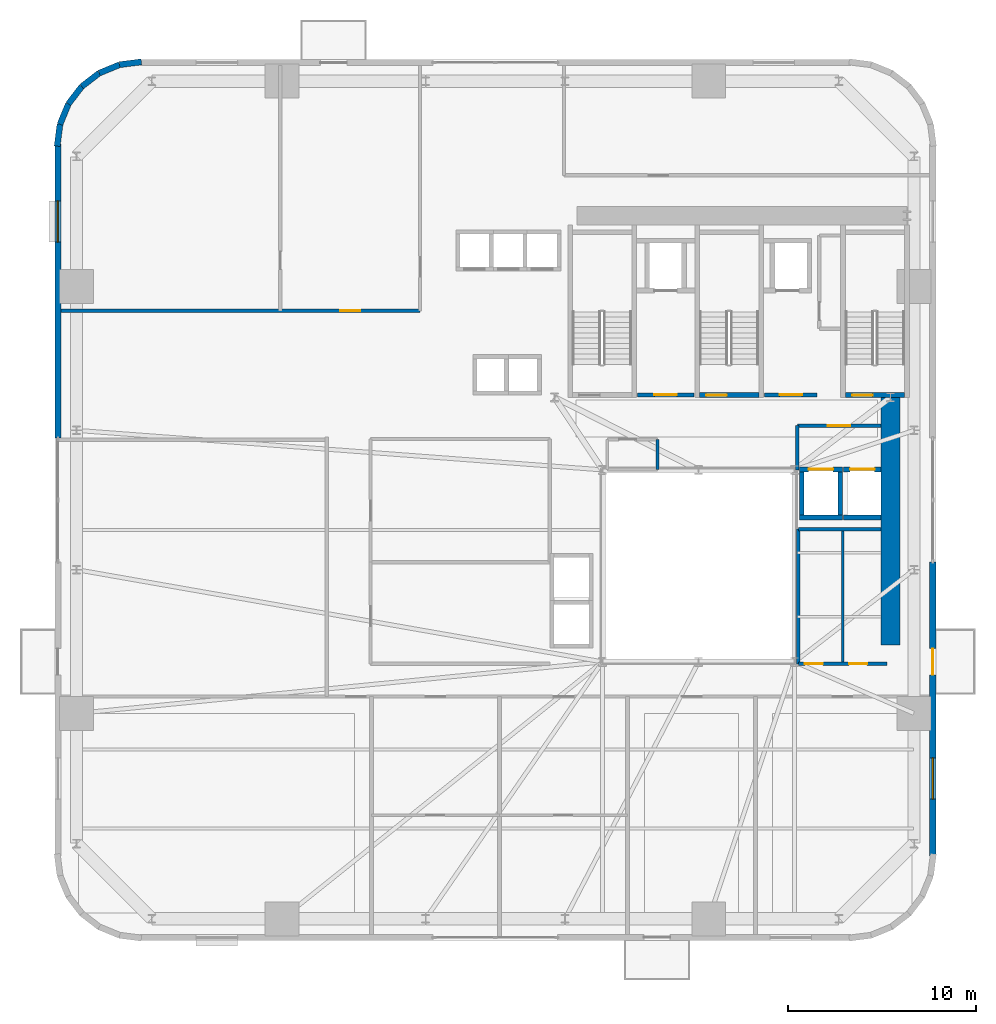
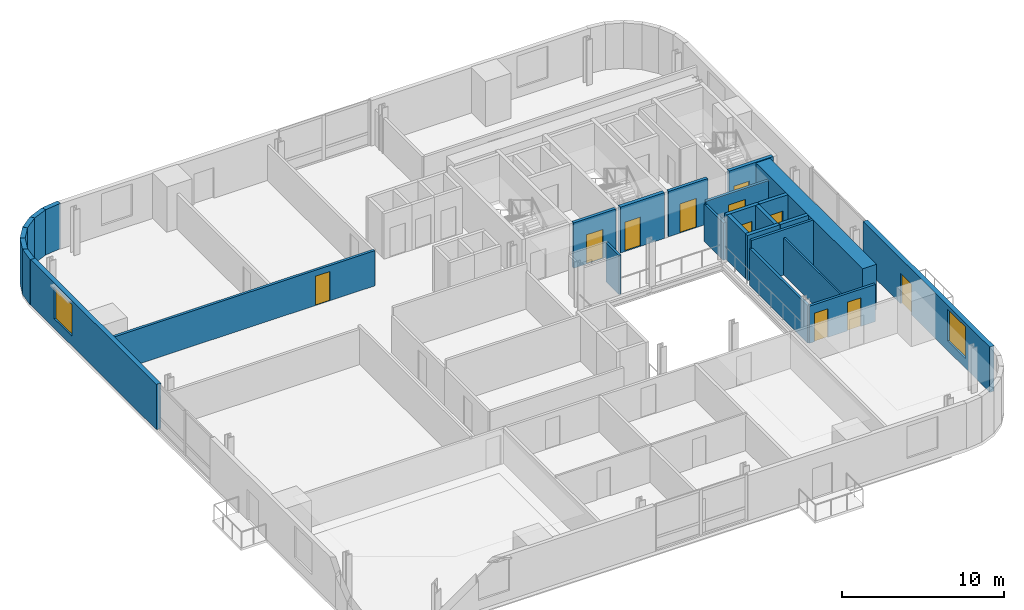
# One storey, part 7 of 13: 27 walls, 11 doors, 2 windows, 13 openings.
"""IFC4 building model written with IfcOpenShell, lengths in metres."""

import ifcopenshell
import ifcopenshell.guid

model = None  # the IFC model being written
_history = None  # IfcOwnerHistory: only IFC2X3 demands one
_inside = {}  # id of a spatial element -> (the spatial element, [elements in it])
_under = {}  # id of a project, library or spatial element -> (it, [spatial elements below it])
_declared = {}  # id of a project -> (the project, [libraries it declares])
_typed = {}  # id of a type object -> (the type object, [elements of that type])
_made_of = {}  # id of a material, layer set ... -> (it, [elements and type objects made of it])


def new_model(schema):
    """Start an empty IFC model of exactly this schema.

    Asked for "IFC4X3", IfcOpenShell would pick the latest addendum, in which some entities
    have other attributes; the version numbers below select the first issue.
    IFC2X3 requires an IfcOwnerHistory on every rooted entity: one is made here for all.
    """
    global model, _history
    if schema == "IFC4X3":
        model = ifcopenshell.file(schema_version=(4, 3, 0, 0))
    else:
        model = ifcopenshell.file(schema=schema)
    _inside.clear()
    _under.clear()
    _declared.clear()
    _typed.clear()
    _made_of.clear()
    _history = None
    if model.schema == "IFC2X3":
        org = make("IfcOrganization", Name="unknown")
        user = make(
            "IfcPersonAndOrganization",
            ThePerson=make("IfcPerson", FamilyName="unknown"),
            TheOrganization=org,
        )
        app = make(
            "IfcApplication",
            ApplicationDeveloper=org,
            Version="unknown",
            ApplicationFullName="unknown",
            ApplicationIdentifier="unknown",
        )
        _history = make(
            "IfcOwnerHistory",
            OwningUser=user,
            OwningApplication=app,
            ChangeAction="ADDED",
            CreationDate=0,
        )
    return model


def make(cls, **values):
    """One entity of the class cls with the attributes given. An attribute that is None is left unset."""
    return model.create_entity(
        cls, **{name: value for name, value in values.items() if value is not None}
    )


def rooted(cls, **values):
    """An entity with a GlobalId (a new one), such as an element, a storey or a relation."""
    return make(cls, GlobalId=ifcopenshell.guid.new(), OwnerHistory=_history, **values)


def si_unit(unit_type, name, prefix=None):
    """IfcSIUnit, for example si_unit("LENGTHUNIT", "METRE", prefix="MILLI")."""
    return make("IfcSIUnit", UnitType=unit_type, Prefix=prefix, Name=name)


def assignment(units):
    """IfcUnitAssignment: the units of a project."""
    return None if units is None else make("IfcUnitAssignment", Units=units)


def point(xyz):
    """IfcCartesianPoint."""
    return None if xyz is None else make("IfcCartesianPoint", Coordinates=xyz)


def direction(xyz):
    """IfcDirection."""
    return None if xyz is None else make("IfcDirection", DirectionRatios=xyz)


def frame(location, z_axis=None, x_axis=None):
    """IfcAxis2Placement3D, a coordinate frame: its origin and axes. An axis left out is left unset."""
    return make(
        "IfcAxis2Placement3D",
        Location=point(location),
        Axis=direction(z_axis),
        RefDirection=direction(x_axis),
    )


def frame_2d(location, x_axis=None):
    """IfcAxis2Placement2D, a coordinate frame in the plane: its origin and x axis."""
    return make(
        "IfcAxis2Placement2D", Location=point(location), RefDirection=direction(x_axis)
    )


def origin():
    """The frame at (0, 0, 0) with its axes left unset."""
    return frame((0.0, 0.0, 0.0))


def place(relative_to, where):
    """IfcLocalPlacement: puts the frame where relative to a parent placement (None: the world)."""
    return make(
        "IfcLocalPlacement", PlacementRelTo=relative_to, RelativePlacement=where
    )


def context(
    kind, dimensions, precision=None, world=None, true_north=None, identifier=None
):
    """IfcGeometricRepresentationContext, for example the 3D "Model" context."""
    return make(
        "IfcGeometricRepresentationContext",
        ContextIdentifier=identifier,
        ContextType=kind,
        CoordinateSpaceDimension=dimensions,
        Precision=precision,
        WorldCoordinateSystem=world,
        TrueNorth=true_north,
    )


def subcontext(parent, identifier, kind, view, scale=None):
    """IfcGeometricRepresentationSubContext, for example "Body" below "Model"."""
    return make(
        "IfcGeometricRepresentationSubContext",
        ContextIdentifier=identifier,
        ContextType=kind,
        ParentContext=parent,
        TargetScale=scale,
        TargetView=view,
    )


def project(units=None, contexts=None):
    """IfcProject with its units and contexts."""
    return rooted(
        "IfcProject",
        Name="project",
        RepresentationContexts=contexts,
        UnitsInContext=assignment(units),
    )


def spatial(cls, under=None, at=None, **own):
    """A site, building, storey or space (cls), placed at a placement, below another one or the project."""
    s = rooted(cls, ObjectPlacement=at, **own)
    if under is not None:
        _under.setdefault(under.id(), (under, []))[1].append(s)
    return s


def profile(cls, at=None, kind="AREA", **sizes):
    """A parametric profile (cls). Its sizes go by their IFC names, for example OverallWidth=200.0."""
    return make(cls, ProfileType=kind, Position=at, **sizes)


def rectangle(**sizes):
    """IfcRectangleProfileDef."""
    return profile("IfcRectangleProfileDef", **sizes)


def extrude(swept, where, along, depth):
    """IfcExtrudedAreaSolid: the profile swept, set in the frame where, extruded along a direction by depth."""
    return make(
        "IfcExtrudedAreaSolid",
        SweptArea=swept,
        Position=where,
        ExtrudedDirection=direction(along),
        Depth=depth,
    )


def shape(context_of_items, identifier, shape_type, items):
    """IfcShapeRepresentation: the items that make up one representation, for example the "Body"."""
    return make(
        "IfcShapeRepresentation",
        ContextOfItems=context_of_items,
        RepresentationIdentifier=identifier,
        RepresentationType=shape_type,
        Items=items,
    )


def source(mapping_origin, context_of_items, identifier, shape_type, items):
    """IfcRepresentationMap: a shape defined once, which mapped items show again and again."""
    return make(
        "IfcRepresentationMap",
        MappingOrigin=mapping_origin,
        MappedRepresentation=shape(context_of_items, identifier, shape_type, items),
    )


def transform(
    local_origin,
    x_axis=None,
    y_axis=None,
    z_axis=None,
    scale=None,
    scale2=None,
    scale3=None,
    uniform=True,
):
    """IfcCartesianTransformationOperator3D, or its non-uniform kind. x_axis, y_axis, z_axis: its Axis1, 2, 3."""
    if uniform:
        return make(
            "IfcCartesianTransformationOperator3D",
            Axis1=direction(x_axis),
            Axis2=direction(y_axis),
            LocalOrigin=point(local_origin),
            Scale=scale,
            Axis3=direction(z_axis),
        )
    return make(
        "IfcCartesianTransformationOperator3DnonUniform",
        Axis1=direction(x_axis),
        Axis2=direction(y_axis),
        LocalOrigin=point(local_origin),
        Scale=scale,
        Axis3=direction(z_axis),
        Scale2=scale2,
        Scale3=scale3,
    )


def mapped(mapping_source, mapping_target):
    """IfcMappedItem: shows the shape of a source again, moved by a transform."""
    return make(
        "IfcMappedItem", MappingSource=mapping_source, MappingTarget=mapping_target
    )


def material(Name=None, Category=None):
    """IfcMaterial."""
    return make("IfcMaterial", Name=Name, Category=Category)


def layer(
    of_material, thickness, ventilated=None, Name=None, Category=None, Priority=None
):
    """IfcMaterialLayer: one layer of a wall or slab, of a material (None: an air gap)."""
    return make(
        "IfcMaterialLayer",
        Material=of_material,
        LayerThickness=thickness,
        IsVentilated=ventilated,
        Name=Name,
        Category=Category,
        Priority=Priority,
    )


def layer_set(layers, Name=None):
    """IfcMaterialLayerSet."""
    return make("IfcMaterialLayerSet", MaterialLayers=layers, LayerSetName=Name)


def made_of(thing, what):
    """Note that an element or type object is made of a material, layer set ...; save() writes the relation."""
    if what is not None:
        _made_of.setdefault(what.id(), (what, []))[1].append(thing)
    return thing


def type_object(cls, material=None, **own):
    """A type object (cls), such as IfcWallType, which elements share."""
    return made_of(rooted(cls, **own), material)


def element(
    cls,
    number,
    at=None,
    inside=None,
    cuts=None,
    type_object=None,
    material=None,
    context=None,
    identifier="Body",
    shape_type=None,
    held_by="IfcProductDefinitionShape",
    body=None,
    shapes=None,
    **own,
):
    """One element of the class cls, such as IfcWall. Its Tag is "e" and its number.

    at: its placement. inside: the storey or other place that contains it. cuts: it is an
    opening in that element (IfcRelVoidsElement). A single representation is given by context,
    identifier, shape_type and body (its items); several are given by shapes. held_by: the class
    of the entity that holds the representations. save() writes the other relations.
    """
    e = rooted(cls, Tag="e%d" % number, ObjectPlacement=at, **own)
    if body is not None:
        shapes = [shape(context, identifier, shape_type, body)]
    if shapes is not None:
        e.Representation = make(held_by, Representations=shapes)
    if inside is not None:
        _inside.setdefault(inside.id(), (inside, []))[1].append(e)
    if cuts is not None:
        rooted(
            "IfcRelVoidsElement", RelatingBuildingElement=cuts, RelatedOpeningElement=e
        )
    if type_object is not None:
        _typed.setdefault(type_object.id(), (type_object, []))[1].append(e)
    return made_of(e, material)


def fill(opening, filler):
    """IfcRelFillsElement: the door or window that sits in an opening."""
    return rooted(
        "IfcRelFillsElement",
        RelatingOpeningElement=opening,
        RelatedBuildingElement=filler,
    )


def aggregate(whole, parts):
    """IfcRelAggregates: a whole, such as a stair, and the parts it consists of."""
    return rooted("IfcRelAggregates", RelatingObject=whole, RelatedObjects=parts)


def save(model, path):
    """Write the relations noted so far, then the file.

    IfcRelAggregates (storeys below a building ...), IfcRelContainedInSpatialStructure (elements
    in a storey), IfcRelDefinesByType, IfcRelAssociatesMaterial and IfcRelDeclares: one each for
    every whole, place, type object, material and project.
    """
    for whole, parts in _under.values():
        aggregate(whole, parts)
    for where, things in _inside.values():
        rooted(
            "IfcRelContainedInSpatialStructure",
            RelatedElements=things,
            RelatingStructure=where,
        )
    for kind, things in _typed.values():
        rooted("IfcRelDefinesByType", RelatedObjects=things, RelatingType=kind)
    for what, things in _made_of.values():
        rooted("IfcRelAssociatesMaterial", RelatedObjects=things, RelatingMaterial=what)
    for by, libraries in _declared.values():
        rooted("IfcRelDeclares", RelatingContext=by, RelatedDefinitions=libraries)
    model.write(path)


model = new_model("IFC4")

# Units and contexts
model_context = context("Model", 3, precision=1e-05, world=origin(), true_north=direction((0.0, 1.0)))
body_context = subcontext(model_context, "Body", "Model", "MODEL_VIEW")
ifc_project = project(units=[si_unit("LENGTHUNIT", "METRE"), si_unit("AREAUNIT", "SQUARE_METRE"), si_unit("VOLUMEUNIT", "CUBIC_METRE"), si_unit("PLANEANGLEUNIT", "RADIAN"), si_unit("MASSUNIT", "GRAM", prefix="KILO")], contexts=[model_context])

# Site, building, storey
site_placement = place(None, origin())
site = spatial("IfcSite", under=ifc_project, at=site_placement, CompositionType="ELEMENT")
building_placement = place(site_placement, origin())
building = spatial("IfcBuilding", under=site, at=building_placement, Name="Vardaveli Station Tower", CompositionType="ELEMENT")
storey_placement = place(building_placement, frame((0.0, 0.0, 75.050048828125)))
storey = spatial("IfcBuildingStorey", under=building, at=storey_placement, Name="L19", CompositionType="ELEMENT", Elevation=75.050048828125)

# Wall
ifc_material_1 = material(Name="Concrete C60/75", Category="concrete")
ifc_layer_1 = layer(ifc_material_1, 1.0, Name="Concrete C60/75")
ifc_layer_set_1 = layer_set([ifc_layer_1], Name="Concrete C60/75")
wall_type_1 = type_object("IfcWallType", Name="WAL-CORE-1000", PredefinedType="SHEAR", material=ifc_layer_set_1)
shared_shape_1 = source(origin(), body_context, "Body", "SweptSolid", [
    extrude(rectangle(XDim=13.14990234375, YDim=1.0, at=frame_2d((6.574951171875, 0.0))), origin(), (0.0, 0.0, 1.0), 3.409912109375),
])
wall_1_placement = place(storey_placement, frame((46.5, 17.5, 0.0), z_axis=(0.0, 0.0, 1.0), x_axis=(0.0, 1.0, 0.0)))
element("IfcWall", 1, at=wall_1_placement, inside=storey, type_object=wall_type_1, Name="SW-L19-EAST2", PredefinedType="SHEAR", context=body_context, shape_type="MappedRepresentation", body=[
    mapped(shared_shape_1, transform((0.0, 0.0, 0.0), scale=1.0)),
])

# Wall, openings, door, window
ifc_material_2 = material(Name="Precast concrete C45/55", Category="concrete")
ifc_layer_2 = layer(ifc_material_2, 0.320068359375, Name="Precast concrete C45/55")
ifc_layer_set_2 = layer_set([ifc_layer_2], Name="Precast concrete C45/55")
wall_type_2 = type_object("IfcWallType", Name="WAL-EXT-STONE-320", PredefinedType="SOLIDWALL", material=ifc_layer_set_2)
shared_shape_2 = source(origin(), body_context, "Body", "SweptSolid", [
    extrude(rectangle(XDim=15.599853515625, YDim=0.320068359375, at=frame_2d((7.7998046875, 0.0))), origin(), (0.0, 0.0, 1.0), 3.409912109375),
])
wall_2_placement = place(storey_placement, frame((48.739990234375, 6.300048828125, 0.0), z_axis=(0.0, 0.0, 1.0), x_axis=(0.0, 1.0, 0.0)))
wall_2 = element("IfcWall", 2, at=wall_2_placement, inside=storey, type_object=wall_type_2, Name="EW-L19-E1", PredefinedType="SOLIDWALL", context=body_context, shape_type="MappedRepresentation", body=[
    mapped(shared_shape_2, transform((0.0, 0.0, 0.0), scale=1.0)),
])
shared_shape_3 = source(origin(), body_context, "Body", "SweptSolid", [
    extrude(rectangle(XDim=1.39990234375, YDim=2.300048828125, at=frame_2d((0.699951171875, 1.14990234375))), frame((0.0, 0.169921875, 0.0), z_axis=(0.0, -1.0, 0.0), x_axis=(1.0, 0.0, 0.0)), (0.0, 0.0, 1.0), 0.340087890625),
])
opening_1_placement = place(wall_2_placement, frame((9.6103515625, 0.0, 0.0)))
opening_1 = element("IfcOpeningElement", 3, at=opening_1_placement, cuts=wall_2, Name="Opening D-09", PredefinedType="OPENING", context=body_context, shape_type="MappedRepresentation", body=[
    mapped(shared_shape_3, transform((0.0, 0.0, 0.0), scale=1.0)),
])
shared_shape_4 = source(origin(), body_context, "Body", "SweptSolid", [
    extrude(rectangle(XDim=2.199951171875, YDim=2.39990234375, at=frame_2d((1.10009765625, 1.199951171875))), frame((0.0, 0.169921875, 0.0), z_axis=(0.0, -1.0, 0.0), x_axis=(1.0, 0.0, 0.0)), (0.0, 0.0, 1.0), 0.340087890625),
])
opening_2_placement = place(wall_2_placement, frame((3.0048828125, 0.0, 0.719970703125)))
opening_2 = element("IfcOpeningElement", 4, at=opening_2_placement, cuts=wall_2, Name="Opening W-03", PredefinedType="OPENING", context=body_context, shape_type="MappedRepresentation", body=[
    mapped(shared_shape_4, transform((0.0, 0.0, 0.0), scale=1.0)),
])
ifc_material_3 = material(Name="Thermally broken aluminium glass", Category="aluminium")
door_type_1 = type_object("IfcDoorType", Name="DR-LOG-1400x2300", OperationType="DOUBLE_DOOR_SLIDING", PredefinedType="DOOR", material=ifc_material_3)
shared_shape_5 = source(origin(), body_context, "Body", "SweptSolid", [
    extrude(rectangle(XDim=1.39990234375, YDim=2.300048828125, at=frame_2d((0.699951171875, 1.14990234375))), frame((0.0, 0.02490234375, 0.0), z_axis=(0.0, -1.0, 0.0), x_axis=(1.0, 0.0, 0.0)), (0.0, 0.0, 1.0), 0.050048828125),
])
door_1_placement = place(opening_1_placement, frame((1.39990234375, 0.0, 0.0), z_axis=(0.0, 0.0, 1.0), x_axis=(-1.0, 0.0, 0.0)))
door_1 = element("IfcDoor", 5, at=door_1_placement, inside=storey, type_object=door_type_1, Name="DLG-L19-E", OperationType="DOUBLE_DOOR_SLIDING", OverallHeight=2.300048828125, OverallWidth=1.39990234375, PredefinedType="DOOR", context=body_context, shape_type="MappedRepresentation", body=[
    mapped(shared_shape_5, transform((0.0, 0.0, 0.0), scale=1.0)),
])
fill(opening_1, door_1)
ifc_material_4 = material(Name="Low-E solar-control glass", Category="glass")
window_type = type_object("IfcWindowType", Name="WIN-LOG-2200x2400", PartitioningType="SINGLE_PANEL", PredefinedType="WINDOW", material=ifc_material_4)
shared_shape_6 = source(origin(), body_context, "Body", "SweptSolid", [
    extrude(rectangle(XDim=2.199951171875, YDim=2.39990234375, at=frame_2d((1.10009765625, 1.199951171875))), frame((0.0, 0.030029296875, 0.0), z_axis=(0.0, -1.0, 0.0), x_axis=(1.0, 0.0, 0.0)), (0.0, 0.0, 1.0), 0.06005859375),
])
window_1_placement = place(opening_2_placement, origin())
window_1 = element("IfcWindow", 6, at=window_1_placement, inside=storey, type_object=window_type, Name="WN-L19-E1", OverallHeight=2.39990234375, OverallWidth=2.199951171875, PartitioningType="SINGLE_PANEL", PredefinedType="WINDOW", context=body_context, shape_type="MappedRepresentation", body=[
    mapped(shared_shape_6, transform((0.0, 0.0, 0.0), scale=1.0)),
])
fill(opening_2, window_1)

# Wall, opening, window
shared_shape_7 = source(origin(), body_context, "Body", "SweptSolid", [
    extrude(rectangle(XDim=15.60009765625, YDim=0.320068359375, at=frame_2d((7.800048828125, 0.0))), origin(), (0.0, 0.0, 1.0), 3.409912109375),
])
wall_3_placement = place(storey_placement, frame((2.260009765625, 44.10009765625, 0.0), z_axis=(0.0, 0.0, 1.0), x_axis=(0.0, -1.0, 0.0)))
wall_3 = element("IfcWall", 7, at=wall_3_placement, inside=storey, type_object=wall_type_2, Name="EW-L19-W1", PredefinedType="SOLIDWALL", context=body_context, shape_type="MappedRepresentation", body=[
    mapped(shared_shape_7, transform((0.0, 0.0, 0.0), scale=1.0)),
])
opening_3_placement = place(wall_3_placement, frame((3.0048828125, 0.0, 0.719970703125)))
opening_3 = element("IfcOpeningElement", 8, at=opening_3_placement, cuts=wall_3, Name="Opening W-03", PredefinedType="OPENING", context=body_context, shape_type="MappedRepresentation", body=[
    mapped(shared_shape_4, transform((0.0, 0.0, 0.0), scale=1.0)),
])
window_2_placement = place(opening_3_placement, origin())
window_2 = element("IfcWindow", 9, at=window_2_placement, inside=storey, type_object=window_type, Name="WN-L19-W1", OverallHeight=2.39990234375, OverallWidth=2.199951171875, PartitioningType="SINGLE_PANEL", PredefinedType="WINDOW", context=body_context, shape_type="MappedRepresentation", body=[
    mapped(shared_shape_6, transform((0.0, 0.0, 0.0), scale=1.0)),
])
fill(opening_3, window_2)

# Walls
shared_shape_8 = source(origin(), body_context, "Body", "SweptSolid", [
    extrude(rectangle(XDim=1.1689453125, YDim=0.320068359375, at=frame_2d((0.58447265625, 0.0))), origin(), (0.0, 0.0, 1.0), 3.409912109375),
])
wall_4_placement = place(storey_placement, frame((3.53125, 47.1689453125, 0.0), z_axis=(0.0, 0.0, 1.0), x_axis=(-0.608387696831, -0.793639975269, 0.0)))
element("IfcWall", 10, at=wall_4_placement, inside=storey, type_object=wall_type_2, Name="EW-L19-CR4-4", PredefinedType="SOLIDWALL", context=body_context, shape_type="MappedRepresentation", body=[
    mapped(shared_shape_8, transform((0.0, 0.0, 0.0), scale=1.0)),
])
shared_shape_9 = source(origin(), body_context, "Body", "SweptSolid", [
    extrude(rectangle(XDim=1.168701171875, YDim=0.320068359375, at=frame_2d((0.58447265625, 0.0))), origin(), (0.0, 0.0, 1.0), 3.409912109375),
])
wall_5_placement = place(storey_placement, frame((4.458740234375, 47.8798828125, 0.0), z_axis=(0.0, 0.0, 1.0), x_axis=(-0.793663520347, -0.608356981114, 0.0)))
element("IfcWall", 11, at=wall_5_placement, inside=storey, type_object=wall_type_2, Name="EW-L19-CR4-3", PredefinedType="SOLIDWALL", context=body_context, shape_type="MappedRepresentation", body=[
    mapped(shared_shape_9, transform((0.0, 0.0, 0.0), scale=1.0)),
])
shared_shape_10 = source(origin(), body_context, "Body", "SweptSolid", [
    extrude(rectangle(XDim=1.17041015625, YDim=0.320068359375, at=frame_2d((0.585205078125, 0.0))), origin(), (0.0, 0.0, 1.0), 3.409912109375),
])
for number, where, z_axis, x_axis, name in (
    (12, (6.700439453125, 48.4755859375, 0.0), (0.0, 0.0, 1.0), (-0.991735963317, -0.128295670475, 0.0), "EW-L19-CR4-1"),
    (13, (2.37451171875, 45.16015625, 0.0), (0.0, 0.0, 1.0), (-0.128295670475, -0.991735963317, 0.0), "EW-L19-CR4-6"),
):
    element("IfcWall", number, at=place(storey_placement, frame(where, z_axis=z_axis, x_axis=x_axis)), inside=storey, type_object=wall_type_2, Name=name, PredefinedType="SOLIDWALL", context=body_context, shape_type="MappedRepresentation", body=[
        mapped(shared_shape_10, transform((0.0, 0.0, 0.0), scale=1.0)),
    ])
shared_shape_11 = source(origin(), body_context, "Body", "SweptSolid", [
    extrude(rectangle(XDim=1.169189453125, YDim=0.320068359375, at=frame_2d((0.58447265625, 0.0))), origin(), (0.0, 0.0, 1.0), 3.409912109375),
])
for number, where, z_axis, x_axis, name in (
    (14, (5.539794921875, 48.325439453125, 0.0), (0.0, 0.0, 1.0), (-0.924552646638, -0.381054331552, 0.0), "EW-L19-CR4-2"),
    (15, (2.820068359375, 46.2412109375, 0.0), (0.0, 0.0, 1.0), (-0.381054331552, -0.924552646638, 0.0), "EW-L19-CR4-5"),
):
    element("IfcWall", number, at=place(storey_placement, frame(where, z_axis=z_axis, x_axis=x_axis)), inside=storey, type_object=wall_type_2, Name=name, PredefinedType="SOLIDWALL", context=body_context, shape_type="MappedRepresentation", body=[
        mapped(shared_shape_11, transform((0.0, 0.0, 0.0), scale=1.0)),
    ])

# Wall, opening, door
ifc_material_5 = material(Name="Concrete C40/50", Category="concrete")
ifc_layer_3 = layer(ifc_material_5, 0.25, Name="Concrete C40/50")
ifc_layer_set_3 = layer_set([ifc_layer_3], Name="Concrete C40/50")
wall_type_3 = type_object("IfcWallType", Name="WAL-SHAFT-250", PredefinedType="SOLIDWALL", material=ifc_layer_set_3)
shared_shape_12 = source(origin(), body_context, "Body", "SweptSolid", [
    extrude(rectangle(XDim=3.14990234375, YDim=0.25, at=frame_2d((1.574951171875, 0.0))), origin(), (0.0, 0.0, 1.0), 3.449951171875),
])
wall_6_placement = place(storey_placement, frame((36.35009765625, 30.77490234375, 0.0), z_axis=(0.0, 0.0, 1.0), x_axis=(1.0, 0.0, 0.0)))
wall_6 = element("IfcWall", 16, at=wall_6_placement, inside=storey, type_object=wall_type_3, Name="W-L19-ST-2S", PredefinedType="SOLIDWALL", context=body_context, shape_type="MappedRepresentation", body=[
    mapped(shared_shape_12, transform((0.0, 0.0, 0.0), scale=1.0)),
])
shared_shape_13 = source(origin(), body_context, "Body", "SweptSolid", [
    extrude(rectangle(XDim=1.10009765625, YDim=2.199951171875, at=frame_2d((0.550048828125, 1.10009765625))), frame((0.0, 0.135009765625, 0.0), z_axis=(0.0, -1.0, 0.0), x_axis=(1.0, 0.0, 0.0)), (0.0, 0.0, 1.0), 0.27001953125),
])
opening_4_placement = place(wall_6_placement, frame((0.35009765625, 0.0, 0.0)))
opening_4 = element("IfcOpeningElement", 17, at=opening_4_placement, cuts=wall_6, Name="Opening D-04", PredefinedType="OPENING", context=body_context, shape_type="MappedRepresentation", body=[
    mapped(shared_shape_13, transform((0.0, 0.0, 0.0), scale=1.0)),
])
ifc_material_6 = material(Name="Steel smokeproof fire doorset", Category="steel")
door_type_2 = type_object("IfcDoorType", Name="DR-ST-1100x2200", OperationType="NOTDEFINED", PredefinedType="DOOR", material=ifc_material_6)
shared_shape_14 = source(origin(), body_context, "Body", "SweptSolid", [
    extrude(rectangle(XDim=1.10009765625, YDim=2.199951171875, at=frame_2d((0.550048828125, 1.10009765625))), frame((0.0, 0.02490234375, 0.0), z_axis=(0.0, -1.0, 0.0), x_axis=(1.0, 0.0, 0.0)), (0.0, 0.0, 1.0), 0.050048828125),
])
door_2_placement = place(opening_4_placement, origin())
door_2 = element("IfcDoor", 18, at=door_2_placement, inside=storey, type_object=door_type_2, Name="DST-2-L19", OperationType="SINGLE_SWING_LEFT", OverallHeight=2.199951171875, OverallWidth=1.10009765625, PredefinedType="DOOR", context=body_context, shape_type="MappedRepresentation", body=[
    mapped(shared_shape_14, transform((0.0, 0.0, 0.0), scale=1.0)),
])
fill(opening_4, door_2)

wall_7_placement = place(storey_placement, frame((44.10009765625, 30.77490234375, 0.0), z_axis=(0.0, 0.0, 1.0), x_axis=(1.0, 0.0, 0.0)))
wall_7 = element("IfcWall", 19, at=wall_7_placement, inside=storey, type_object=wall_type_3, Name="W-L19-ST-3S", PredefinedType="SOLIDWALL", context=body_context, shape_type="MappedRepresentation", body=[
    mapped(shared_shape_12, transform((0.0, 0.0, 0.0), scale=1.0)),
])
opening_5_placement = place(wall_7_placement, frame((0.35009765625, 0.0, 0.0)))
opening_5 = element("IfcOpeningElement", 20, at=opening_5_placement, cuts=wall_7, Name="Opening D-04", PredefinedType="OPENING", context=body_context, shape_type="MappedRepresentation", body=[
    mapped(shared_shape_13, transform((0.0, 0.0, 0.0), scale=1.0)),
])
door_3_placement = place(opening_5_placement, origin())
door_3 = element("IfcDoor", 21, at=door_3_placement, inside=storey, type_object=door_type_2, Name="DST-3-L19", OperationType="SINGLE_SWING_LEFT", OverallHeight=2.199951171875, OverallWidth=1.10009765625, PredefinedType="DOOR", context=body_context, shape_type="MappedRepresentation", body=[
    mapped(shared_shape_14, transform((0.0, 0.0, 0.0), scale=1.0)),
])
fill(opening_5, door_3)

ifc_layer_4 = layer(ifc_material_5, 0.219970703125, Name="Concrete C40/50")
ifc_layer_set_4 = layer_set([ifc_layer_4], Name="Concrete C40/50")
wall_type_4 = type_object("IfcWallType", Name="WAL-FFLOBBY-220", PredefinedType="SOLIDWALL", material=ifc_layer_set_4)
shared_shape_15 = source(origin(), body_context, "Body", "SweptSolid", [
    extrude(rectangle(XDim=3.0, YDim=0.219970703125, at=frame_2d((1.5, 0.0))), origin(), (0.0, 0.0, 1.0), 3.409912109375),
])
wall_8_placement = place(storey_placement, frame((33.050048828125, 30.780029296875, 0.0), z_axis=(0.0, 0.0, 1.0), x_axis=(1.0, 0.0, 0.0)))
wall_8 = element("IfcWall", 22, at=wall_8_placement, inside=storey, type_object=wall_type_4, Name="W-L19-FFL1S", PredefinedType="SOLIDWALL", context=body_context, shape_type="MappedRepresentation", body=[
    mapped(shared_shape_15, transform((0.0, 0.0, 0.0), scale=1.0)),
])
shared_shape_16 = source(origin(), body_context, "Body", "SweptSolid", [
    extrude(rectangle(XDim=1.199951171875, YDim=2.199951171875, at=frame_2d((0.60009765625, 1.10009765625))), frame((0.0, 0.1201171875, 0.0), z_axis=(0.0, -1.0, 0.0), x_axis=(1.0, 0.0, 0.0)), (0.0, 0.0, 1.0), 0.239990234375),
])
opening_6_placement = place(wall_8_placement, frame((0.89990234375, 0.0, 0.0)))
opening_6 = element("IfcOpeningElement", 23, at=opening_6_placement, cuts=wall_8, Name="Opening D-03", PredefinedType="OPENING", context=body_context, shape_type="MappedRepresentation", body=[
    mapped(shared_shape_16, transform((0.0, 0.0, 0.0), scale=1.0)),
])
door_type_3 = type_object("IfcDoorType", Name="DR-FFL-1200x2200", OperationType="NOTDEFINED", PredefinedType="DOOR", material=ifc_material_6)
shared_shape_17 = source(origin(), body_context, "Body", "SweptSolid", [
    extrude(rectangle(XDim=1.199951171875, YDim=2.199951171875, at=frame_2d((0.60009765625, 1.10009765625))), frame((0.0, 0.02490234375, 0.0), z_axis=(0.0, -1.0, 0.0), x_axis=(1.0, 0.0, 0.0)), (0.0, 0.0, 1.0), 0.050048828125),
])
door_4_placement = place(opening_6_placement, origin())
door_4 = element("IfcDoor", 24, at=door_4_placement, inside=storey, type_object=door_type_3, Name="DFFL1-L19", OperationType="SINGLE_SWING_LEFT", OverallHeight=2.199951171875, OverallWidth=1.199951171875, PredefinedType="DOOR", context=body_context, shape_type="MappedRepresentation", body=[
    mapped(shared_shape_17, transform((0.0, 0.0, 0.0), scale=1.0)),
])
fill(opening_6, door_4)

shared_shape_18 = source(origin(), body_context, "Body", "SweptSolid", [
    extrude(rectangle(XDim=2.800048828125, YDim=0.219970703125, at=frame_2d((1.39990234375, 0.0))), origin(), (0.0, 0.0, 1.0), 3.409912109375),
])
wall_9_placement = place(storey_placement, frame((39.800048828125, 30.780029296875, 0.0), z_axis=(0.0, 0.0, 1.0), x_axis=(1.0, 0.0, 0.0)))
wall_9 = element("IfcWall", 25, at=wall_9_placement, inside=storey, type_object=wall_type_4, Name="W-L19-FFL2S", PredefinedType="SOLIDWALL", context=body_context, shape_type="MappedRepresentation", body=[
    mapped(shared_shape_18, transform((0.0, 0.0, 0.0), scale=1.0)),
])
opening_7_placement = place(wall_9_placement, frame((0.800048828125, 0.0, 0.0)))
opening_7 = element("IfcOpeningElement", 26, at=opening_7_placement, cuts=wall_9, Name="Opening D-03", PredefinedType="OPENING", context=body_context, shape_type="MappedRepresentation", body=[
    mapped(shared_shape_16, transform((0.0, 0.0, 0.0), scale=1.0)),
])
door_5_placement = place(opening_7_placement, origin())
door_5 = element("IfcDoor", 27, at=door_5_placement, inside=storey, type_object=door_type_3, Name="DFFL2-L19", OperationType="SINGLE_SWING_RIGHT", OverallHeight=2.199951171875, OverallWidth=1.199951171875, PredefinedType="DOOR", context=body_context, shape_type="MappedRepresentation", body=[
    mapped(shared_shape_17, transform((0.0, 0.0, 0.0), scale=1.0)),
])
fill(opening_7, door_5)

# Wall
shared_shape_19 = source(origin(), body_context, "Body", "SweptSolid", [
    extrude(rectangle(XDim=2.300048828125, YDim=0.25, at=frame_2d((1.14990234375, 0.0))), origin(), (0.0, 0.0, 1.0), 3.409912109375),
])
wall_10_placement = place(storey_placement, frame((41.64990234375, 24.27490234375, 0.0), z_axis=(0.0, 0.0, 1.0), x_axis=(1.0, 0.0, 0.0)))
element("IfcWall", 28, at=wall_10_placement, inside=storey, type_object=wall_type_3, Name="SHW-SRV-01-L19-S", PredefinedType="SOLIDWALL", context=body_context, shape_type="MappedRepresentation", body=[
    mapped(shared_shape_19, transform((0.0, 0.0, 0.0), scale=1.0)),
])

# Wall, opening, door
wall_11_placement = place(storey_placement, frame((41.64990234375, 26.824951171875, 0.0), z_axis=(0.0, 0.0, 1.0), x_axis=(1.0, 0.0, 0.0)))
wall_11 = element("IfcWall", 29, at=wall_11_placement, inside=storey, type_object=wall_type_3, Name="SHW-SRV-01-L19-N", PredefinedType="SOLIDWALL", context=body_context, shape_type="MappedRepresentation", body=[
    mapped(shared_shape_19, transform((0.0, 0.0, 0.0), scale=1.0)),
])
shared_shape_20 = source(origin(), body_context, "Body", "SweptSolid", [
    extrude(rectangle(XDim=1.300048828125, YDim=2.300048828125, at=frame_2d((0.64990234375, 1.14990234375))), frame((0.0, 0.135009765625, 0.0), z_axis=(0.0, -1.0, 0.0), x_axis=(1.0, 0.0, 0.0)), (0.0, 0.0, 1.0), 0.27001953125),
])
opening_8_placement = place(wall_11_placement, frame((0.5, 0.0, 0.0)))
opening_8 = element("IfcOpeningElement", 30, at=opening_8_placement, cuts=wall_11, Name="Opening LD-03", PredefinedType="OPENING", context=body_context, shape_type="MappedRepresentation", body=[
    mapped(shared_shape_20, transform((0.0, 0.0, 0.0), scale=1.0)),
])
ifc_material_7 = material(Name="Brushed stainless steel", Category="steel")
door_type_4 = type_object("IfcDoorType", Name="DR-LD-1300x2300", OperationType="DOUBLE_DOOR_SLIDING", PredefinedType="DOOR", material=ifc_material_7)
shared_shape_21 = source(origin(), body_context, "Body", "SweptSolid", [
    extrude(rectangle(XDim=1.300048828125, YDim=2.300048828125, at=frame_2d((0.64990234375, 1.14990234375))), frame((0.0, 0.02490234375, 0.0), z_axis=(0.0, -1.0, 0.0), x_axis=(1.0, 0.0, 0.0)), (0.0, 0.0, 1.0), 0.050048828125),
])
door_6_placement = place(opening_8_placement, origin())
door_6 = element("IfcDoor", 31, at=door_6_placement, inside=storey, type_object=door_type_4, Name="LD-SRV-01-L19", OperationType="DOUBLE_DOOR_SLIDING", OverallHeight=2.300048828125, OverallWidth=1.300048828125, PredefinedType="DOOR", context=body_context, shape_type="MappedRepresentation", body=[
    mapped(shared_shape_21, transform((0.0, 0.0, 0.0), scale=1.0)),
])
fill(opening_8, door_6)

# Walls
for number, where, z_axis, x_axis, name in (
    (32, (41.77490234375, 24.39990234375, 0.0), (0.0, 0.0, 1.0), (0.0, 1.0, 0.0), "SHW-SRV-01-L19-W"),
    (33, (43.824951171875, 24.39990234375, 0.0), (0.0, 0.0, 1.0), (0.0, 1.0, 0.0), "SHW-SRV-01-L19-E"),
):
    element("IfcWall", number, at=place(storey_placement, frame(where, z_axis=z_axis, x_axis=x_axis)), inside=storey, type_object=wall_type_3, Name=name, PredefinedType="SOLIDWALL", context=body_context, shape_type="MappedRepresentation", body=[
        mapped(shared_shape_19, transform((0.0, 0.0, 0.0), scale=1.0)),
    ])
shared_shape_22 = source(origin(), body_context, "Body", "SweptSolid", [
    extrude(rectangle(XDim=2.0, YDim=0.25, at=frame_2d((1.0, 0.0))), origin(), (0.0, 0.0, 1.0), 3.409912109375),
])
wall_12_placement = place(storey_placement, frame((44.0, 24.27490234375, 0.0), z_axis=(0.0, 0.0, 1.0), x_axis=(1.0, 0.0, 0.0)))
element("IfcWall", 34, at=wall_12_placement, inside=storey, type_object=wall_type_3, Name="SHW-SRV-02-L19-S", PredefinedType="SOLIDWALL", context=body_context, shape_type="MappedRepresentation", body=[
    mapped(shared_shape_22, transform((0.0, 0.0, 0.0), scale=1.0)),
])

# Wall, opening, door
wall_13_placement = place(storey_placement, frame((44.0, 26.824951171875, 0.0), z_axis=(0.0, 0.0, 1.0), x_axis=(1.0, 0.0, 0.0)))
wall_13 = element("IfcWall", 35, at=wall_13_placement, inside=storey, type_object=wall_type_3, Name="SHW-SRV-02-L19-N", PredefinedType="SOLIDWALL", context=body_context, shape_type="MappedRepresentation", body=[
    mapped(shared_shape_22, transform((0.0, 0.0, 0.0), scale=1.0)),
])
opening_9_placement = place(wall_13_placement, frame((0.35009765625, 0.0, 0.0)))
opening_9 = element("IfcOpeningElement", 36, at=opening_9_placement, cuts=wall_13, Name="Opening LD-03", PredefinedType="OPENING", context=body_context, shape_type="MappedRepresentation", body=[
    mapped(shared_shape_20, transform((0.0, 0.0, 0.0), scale=1.0)),
])
door_7_placement = place(opening_9_placement, origin())
door_7 = element("IfcDoor", 37, at=door_7_placement, inside=storey, type_object=door_type_4, Name="LD-SRV-02-L19", OperationType="DOUBLE_DOOR_SLIDING", OverallHeight=2.300048828125, OverallWidth=1.300048828125, PredefinedType="DOOR", context=body_context, shape_type="MappedRepresentation", body=[
    mapped(shared_shape_21, transform((0.0, 0.0, 0.0), scale=1.0)),
])
fill(opening_9, door_7)

ifc_material_8 = material(Name="Fire-rated gypsum stud partition")
ifc_layer_5 = layer(ifc_material_8, 0.179931640625, Name="Fire-rated gypsum stud partition")
ifc_layer_set_5 = layer_set([ifc_layer_5], Name="Fire-rated gypsum stud partition")
wall_type_5 = type_object("IfcWallType", Name="WAL-CORR-180", PredefinedType="PARTITIONING", material=ifc_layer_set_5)
shared_shape_23 = source(origin(), body_context, "Body", "SweptSolid", [
    extrude(rectangle(XDim=19.077880859375, YDim=0.179931640625, at=frame_2d((9.5390625, 0.0))), origin(), (0.0, 0.0, 1.0), 2.65185546875),
])
wall_14_placement = place(storey_placement, frame((2.422119140625, 35.25, 0.0), z_axis=(0.0, 0.0, 1.0), x_axis=(1.0, 0.0, 0.0)))
wall_14 = element("IfcWall", 38, at=wall_14_placement, inside=storey, type_object=wall_type_5, Name="W-L19-CNWS", PredefinedType="PARTITIONING", context=body_context, shape_type="MappedRepresentation", body=[
    mapped(shared_shape_23, transform((0.0, 0.0, 0.0), scale=1.0)),
])
shared_shape_24 = source(origin(), body_context, "Body", "SweptSolid", [
    extrude(rectangle(XDim=1.050048828125, YDim=2.199951171875, at=frame_2d((0.52490234375, 1.10009765625))), frame((0.0, 0.10009765625, 0.0), z_axis=(0.0, -1.0, 0.0), x_axis=(1.0, 0.0, 0.0)), (0.0, 0.0, 1.0), 0.199951171875),
])
opening_10_placement = place(wall_14_placement, frame((14.84326171875, 0.0, 0.0)))
opening_10 = element("IfcOpeningElement", 39, at=opening_10_placement, cuts=wall_14, Name="Opening D-05", PredefinedType="OPENING", context=body_context, shape_type="MappedRepresentation", body=[
    mapped(shared_shape_24, transform((0.0, 0.0, 0.0), scale=1.0)),
])
ifc_material_9 = material(Name="Walnut veneer acoustic fire door")
door_type_5 = type_object("IfcDoorType", Name="DR-SUITE-1050x2200", OperationType="NOTDEFINED", PredefinedType="DOOR", material=ifc_material_9)
shared_shape_25 = source(origin(), body_context, "Body", "SweptSolid", [
    extrude(rectangle(XDim=1.050048828125, YDim=2.199951171875, at=frame_2d((0.52490234375, 1.10009765625))), frame((0.0, 0.02490234375, 0.0), z_axis=(0.0, -1.0, 0.0), x_axis=(1.0, 0.0, 0.0)), (0.0, 0.0, 1.0), 0.050048828125),
])
door_8_placement = place(opening_10_placement, origin())
door_8 = element("IfcDoor", 40, at=door_8_placement, inside=storey, type_object=door_type_5, Name="D-L19-GNW2", OperationType="SINGLE_SWING_LEFT", OverallHeight=2.199951171875, OverallWidth=1.050048828125, PredefinedType="DOOR", context=body_context, shape_type="MappedRepresentation", body=[
    mapped(shared_shape_25, transform((0.0, 0.0, 0.0), scale=1.0)),
])
fill(opening_10, door_8)

shared_shape_26 = source(origin(), body_context, "Body", "SweptSolid", [
    extrude(rectangle(XDim=4.447998046875, YDim=0.179931640625, at=frame_2d((2.22412109375, 0.0))), origin(), (0.0, 0.0, 1.0), 3.0419921875),
])
wall_15_placement = place(storey_placement, frame((41.550048828125, 29.14990234375, 0.0), z_axis=(0.0, 0.0, 1.0), x_axis=(1.0, 0.0, 0.0)))
wall_15 = element("IfcWall", 41, at=wall_15_placement, inside=storey, type_object=wall_type_5, Name="W-L19-SVFN", PredefinedType="PARTITIONING", context=body_context, shape_type="MappedRepresentation", body=[
    mapped(shared_shape_26, transform((0.0, 0.0, 0.0), scale=1.0)),
])
shared_shape_27 = source(origin(), body_context, "Body", "SweptSolid", [
    extrude(rectangle(XDim=1.199951171875, YDim=2.199951171875, at=frame_2d((0.60009765625, 1.10009765625))), frame((0.0, 0.10009765625, 0.0), z_axis=(0.0, -1.0, 0.0), x_axis=(1.0, 0.0, 0.0)), (0.0, 0.0, 1.0), 0.199951171875),
])
opening_11_placement = place(wall_15_placement, frame((1.60009765625, 0.0, 0.0)))
opening_11 = element("IfcOpeningElement", 42, at=opening_11_placement, cuts=wall_15, Name="Opening D-03", PredefinedType="OPENING", context=body_context, shape_type="MappedRepresentation", body=[
    mapped(shared_shape_27, transform((0.0, 0.0, 0.0), scale=1.0)),
])
door_9_placement = place(opening_11_placement, origin())
door_9 = element("IfcDoor", 43, at=door_9_placement, inside=storey, type_object=door_type_3, Name="D-L19-SVF", OperationType="SINGLE_SWING_LEFT", OverallHeight=2.199951171875, OverallWidth=1.199951171875, PredefinedType="DOOR", context=body_context, shape_type="MappedRepresentation", body=[
    mapped(shared_shape_17, transform((0.0, 0.0, 0.0), scale=1.0)),
])
fill(opening_11, door_9)

# Wall, openings, doors
shared_shape_28 = source(origin(), body_context, "Body", "SweptSolid", [
    extrude(rectangle(XDim=4.699951171875, YDim=0.179931640625, at=frame_2d((2.35009765625, 0.0))), origin(), (0.0, 0.0, 1.0), 2.802001953125),
])
wall_16_placement = place(storey_placement, frame((41.60009765625, 16.5, 0.0), z_axis=(0.0, 0.0, 1.0), x_axis=(1.0, 0.0, 0.0)))
wall_16 = element("IfcWall", 44, at=wall_16_placement, inside=storey, type_object=wall_type_5, Name="W-L19-ATE-S", PredefinedType="PARTITIONING", context=body_context, shape_type="MappedRepresentation", body=[
    mapped(shared_shape_28, transform((0.0, 0.0, 0.0), scale=1.0)),
])
shared_shape_29 = source(origin(), body_context, "Body", "SweptSolid", [
    extrude(rectangle(XDim=0.949951171875, YDim=2.14990234375, at=frame_2d((0.47509765625, 1.074951171875))), frame((0.0, 0.10009765625, 0.0), z_axis=(0.0, -1.0, 0.0), x_axis=(1.0, 0.0, 0.0)), (0.0, 0.0, 1.0), 0.199951171875),
])
opening_12_placement = place(wall_16_placement, frame((0.35009765625, 0.0, 0.0)))
opening_12 = element("IfcOpeningElement", 45, at=opening_12_placement, cuts=wall_16, Name="Opening D-11", PredefinedType="OPENING", context=body_context, shape_type="MappedRepresentation", body=[
    mapped(shared_shape_29, transform((0.0, 0.0, 0.0), scale=1.0)),
])
opening_13_placement = place(wall_16_placement, frame((2.699951171875, 0.0, 0.0)))
opening_13 = element("IfcOpeningElement", 46, at=opening_13_placement, cuts=wall_16, Name="Opening D-11", PredefinedType="OPENING", context=body_context, shape_type="MappedRepresentation", body=[
    mapped(shared_shape_29, transform((0.0, 0.0, 0.0), scale=1.0)),
])
ifc_material_10 = material(Name="Oak veneer internal suite door")
door_type_6 = type_object("IfcDoorType", Name="DR-INT-950x2150", OperationType="NOTDEFINED", PredefinedType="DOOR", material=ifc_material_10)
shared_shape_30 = source(origin(), body_context, "Body", "SweptSolid", [
    extrude(rectangle(XDim=0.949951171875, YDim=2.14990234375, at=frame_2d((0.47509765625, 1.074951171875))), frame((0.0, 0.02490234375, 0.0), z_axis=(0.0, -1.0, 0.0), x_axis=(1.0, 0.0, 0.0)), (0.0, 0.0, 1.0), 0.050048828125),
])
door_10_placement = place(opening_12_placement, origin())
door_10 = element("IfcDoor", 47, at=door_10_placement, inside=storey, type_object=door_type_6, Name="D-L19-ATE1", OperationType="SINGLE_SWING_RIGHT", OverallHeight=2.14990234375, OverallWidth=0.949951171875, PredefinedType="DOOR", context=body_context, shape_type="MappedRepresentation", body=[
    mapped(shared_shape_30, transform((0.0, 0.0, 0.0), scale=1.0)),
])
fill(opening_12, door_10)
door_11_placement = place(opening_13_placement, origin())
door_11 = element("IfcDoor", 48, at=door_11_placement, inside=storey, type_object=door_type_6, Name="D-L19-ATE2", OperationType="SINGLE_SWING_LEFT", OverallHeight=2.14990234375, OverallWidth=0.949951171875, PredefinedType="DOOR", context=body_context, shape_type="MappedRepresentation", body=[
    mapped(shared_shape_30, transform((0.0, 0.0, 0.0), scale=1.0)),
])
fill(opening_13, door_11)

# Walls
shared_shape_31 = source(origin(), body_context, "Body", "SweptSolid", [
    extrude(rectangle(XDim=7.14990234375, YDim=0.179931640625, at=frame_2d((3.574951171875, 0.0))), origin(), (0.0, 0.0, 1.0), 2.802001953125),
])
wall_17_placement = place(storey_placement, frame((41.60009765625, 16.5, 0.0), z_axis=(0.0, 0.0, 1.0), x_axis=(0.0, 1.0, 0.0)))
element("IfcWall", 49, at=wall_17_placement, inside=storey, type_object=wall_type_5, Name="W-L19-ATE-W", PredefinedType="PARTITIONING", context=body_context, shape_type="MappedRepresentation", body=[
    mapped(shared_shape_31, transform((0.0, 0.0, 0.0), scale=1.0)),
])
shared_shape_32 = source(origin(), body_context, "Body", "SweptSolid", [
    extrude(rectangle(XDim=4.39794921875, YDim=0.179931640625, at=frame_2d((2.198974609375, 0.0))), origin(), (0.0, 0.0, 1.0), 3.409912109375),
])
wall_18_placement = place(storey_placement, frame((41.60009765625, 23.64990234375, 0.0), z_axis=(0.0, 0.0, 1.0), x_axis=(1.0, 0.0, 0.0)))
element("IfcWall", 50, at=wall_18_placement, inside=storey, type_object=wall_type_5, Name="W-L19-ATE-N", PredefinedType="PARTITIONING", context=body_context, shape_type="MappedRepresentation", body=[
    mapped(shared_shape_32, transform((0.0, 0.0, 0.0), scale=1.0)),
])
shared_shape_33 = source(origin(), body_context, "Body", "SweptSolid", [
    extrude(rectangle(XDim=2.349853515625, YDim=0.179931640625, at=frame_2d((1.1748046875, 0.0))), origin(), (0.0, 0.0, 1.0), 2.802001953125),
])
wall_19_placement = place(storey_placement, frame((41.550048828125, 26.800048828125, 0.0), z_axis=(0.0, 0.0, 1.0), x_axis=(0.0, 1.0, 0.0)))
element("IfcWall", 51, at=wall_19_placement, inside=storey, type_object=wall_type_5, Name="W-L19-SVFW", PredefinedType="PARTITIONING", context=body_context, shape_type="MappedRepresentation", body=[
    mapped(shared_shape_33, transform((0.0, 0.0, 0.0), scale=1.0)),
])
ifc_material_11 = material(Name="Gypsum board stud partition")
ifc_layer_6 = layer(ifc_material_11, 0.125, Name="Gypsum board stud partition")
ifc_layer_set_6 = layer_set([ifc_layer_6], Name="Gypsum board stud partition")
wall_type_6 = type_object("IfcWallType", Name="WAL-INT-125", PredefinedType="PARTITIONING", material=ifc_layer_set_6)
shared_shape_34 = source(origin(), body_context, "Body", "SweptSolid", [
    extrude(rectangle(XDim=7.14990234375, YDim=0.125, at=frame_2d((3.574951171875, 0.0))), origin(), (0.0, 0.0, 1.0), 2.802001953125),
])
wall_20_placement = place(storey_placement, frame((43.949951171875, 16.5, 0.0), z_axis=(0.0, 0.0, 1.0), x_axis=(0.0, 1.0, 0.0)))
element("IfcWall", 52, at=wall_20_placement, inside=storey, type_object=wall_type_6, Name="W-L19-ATEM", PredefinedType="PARTITIONING", context=body_context, shape_type="MappedRepresentation", body=[
    mapped(shared_shape_34, transform((0.0, 0.0, 0.0), scale=1.0)),
])
ifc_material_12 = material(Name="Moisture-resistant stud partition")
ifc_layer_7 = layer(ifc_material_12, 0.14990234375, Name="Moisture-resistant stud partition")
ifc_layer_set_7 = layer_set([ifc_layer_7], Name="Moisture-resistant stud partition")
wall_type_7 = type_object("IfcWallType", Name="WAL-WET-150", PredefinedType="PARTITIONING", material=ifc_layer_set_7)
shared_shape_35 = source(origin(), body_context, "Body", "SweptSolid", [
    extrude(rectangle(XDim=1.599853515625, YDim=0.14990234375, at=frame_2d((0.7998046875, 0.0))), origin(), (0.0, 0.0, 1.0), 2.951904296875),
])
wall_21_placement = place(storey_placement, frame((34.1201171875, 26.820068359375, 0.0), z_axis=(0.0, 0.0, 1.0), x_axis=(0.0, 1.0, 0.0)))
element("IfcWall", 53, at=wall_21_placement, inside=storey, type_object=wall_type_7, Name="W-L19-WCA1-E", PredefinedType="PARTITIONING", context=body_context, shape_type="MappedRepresentation", body=[
    mapped(shared_shape_35, transform((0.0, 0.0, 0.0), scale=1.0)),
])

save(model, "model.ifc")
